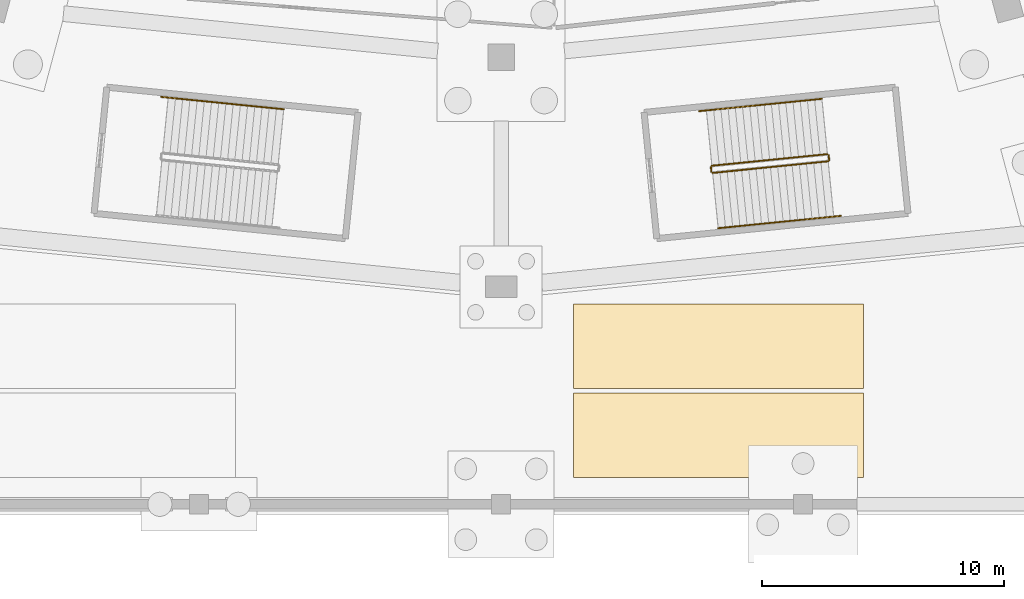
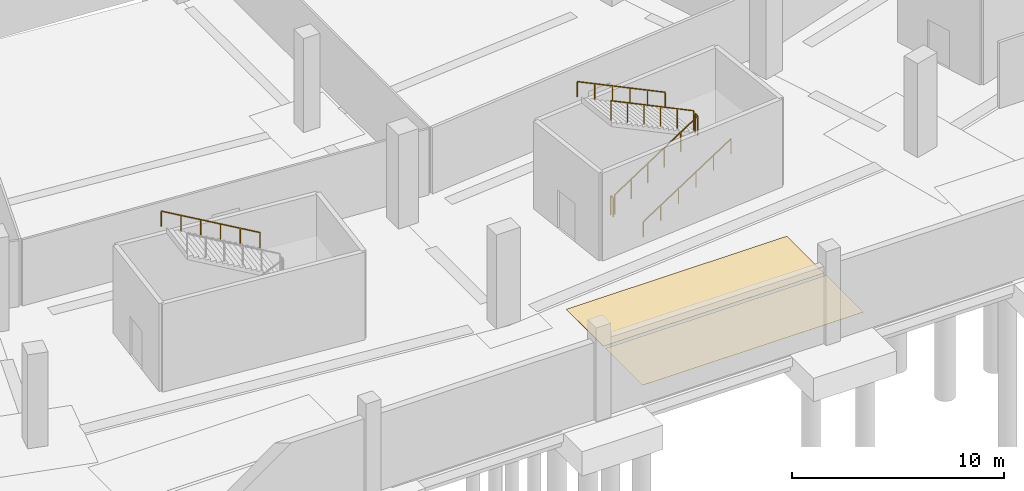
# One storey, part 57 of 74: 7 railings, 2 coverings.
"""IFC4 building model written with IfcOpenShell, lengths in metres."""

import ifcopenshell
import ifcopenshell.guid

model = None  # the IFC model being written
_history = None  # IfcOwnerHistory: only IFC2X3 demands one
_inside = {}  # id of a spatial element -> (the spatial element, [elements in it])
_under = {}  # id of a project, library or spatial element -> (it, [spatial elements below it])
_declared = {}  # id of a project -> (the project, [libraries it declares])
_typed = {}  # id of a type object -> (the type object, [elements of that type])
_made_of = {}  # id of a material, layer set ... -> (it, [elements and type objects made of it])


def new_model(schema):
    """Start an empty IFC model of exactly this schema.

    Asked for "IFC4X3", IfcOpenShell would pick the latest addendum, in which some entities
    have other attributes; the version numbers below select the first issue.
    IFC2X3 requires an IfcOwnerHistory on every rooted entity: one is made here for all.
    """
    global model, _history
    if schema == "IFC4X3":
        model = ifcopenshell.file(schema_version=(4, 3, 0, 0))
    else:
        model = ifcopenshell.file(schema=schema)
    _inside.clear()
    _under.clear()
    _declared.clear()
    _typed.clear()
    _made_of.clear()
    _history = None
    if model.schema == "IFC2X3":
        org = make("IfcOrganization", Name="unknown")
        user = make(
            "IfcPersonAndOrganization",
            ThePerson=make("IfcPerson", FamilyName="unknown"),
            TheOrganization=org,
        )
        app = make(
            "IfcApplication",
            ApplicationDeveloper=org,
            Version="unknown",
            ApplicationFullName="unknown",
            ApplicationIdentifier="unknown",
        )
        _history = make(
            "IfcOwnerHistory",
            OwningUser=user,
            OwningApplication=app,
            ChangeAction="ADDED",
            CreationDate=0,
        )
    return model


def make(cls, **values):
    """One entity of the class cls with the attributes given. An attribute that is None is left unset."""
    return model.create_entity(
        cls, **{name: value for name, value in values.items() if value is not None}
    )


def rooted(cls, **values):
    """An entity with a GlobalId (a new one), such as an element, a storey or a relation."""
    return make(cls, GlobalId=ifcopenshell.guid.new(), OwnerHistory=_history, **values)


def si_unit(unit_type, name, prefix=None):
    """IfcSIUnit, for example si_unit("LENGTHUNIT", "METRE", prefix="MILLI")."""
    return make("IfcSIUnit", UnitType=unit_type, Prefix=prefix, Name=name)


def assignment(units):
    """IfcUnitAssignment: the units of a project."""
    return None if units is None else make("IfcUnitAssignment", Units=units)


def point(xyz):
    """IfcCartesianPoint."""
    return None if xyz is None else make("IfcCartesianPoint", Coordinates=xyz)


def direction(xyz):
    """IfcDirection."""
    return None if xyz is None else make("IfcDirection", DirectionRatios=xyz)


def frame(location, z_axis=None, x_axis=None):
    """IfcAxis2Placement3D, a coordinate frame: its origin and axes. An axis left out is left unset."""
    return make(
        "IfcAxis2Placement3D",
        Location=point(location),
        Axis=direction(z_axis),
        RefDirection=direction(x_axis),
    )


def frame_2d(location, x_axis=None):
    """IfcAxis2Placement2D, a coordinate frame in the plane: its origin and x axis."""
    return make(
        "IfcAxis2Placement2D", Location=point(location), RefDirection=direction(x_axis)
    )


def origin():
    """The frame at (0, 0, 0) with its axes left unset."""
    return frame((0.0, 0.0, 0.0))


def origin_2d():
    """The frame at (0, 0) in the plane with its x axis left unset."""
    return frame_2d((0.0, 0.0))


def place(relative_to, where):
    """IfcLocalPlacement: puts the frame where relative to a parent placement (None: the world)."""
    return make(
        "IfcLocalPlacement", PlacementRelTo=relative_to, RelativePlacement=where
    )


def context(
    kind, dimensions, precision=None, world=None, true_north=None, identifier=None
):
    """IfcGeometricRepresentationContext, for example the 3D "Model" context."""
    return make(
        "IfcGeometricRepresentationContext",
        ContextIdentifier=identifier,
        ContextType=kind,
        CoordinateSpaceDimension=dimensions,
        Precision=precision,
        WorldCoordinateSystem=world,
        TrueNorth=true_north,
    )


def subcontext(parent, identifier, kind, view, scale=None):
    """IfcGeometricRepresentationSubContext, for example "Body" below "Model"."""
    return make(
        "IfcGeometricRepresentationSubContext",
        ContextIdentifier=identifier,
        ContextType=kind,
        ParentContext=parent,
        TargetScale=scale,
        TargetView=view,
    )


def project(units=None, contexts=None):
    """IfcProject with its units and contexts."""
    return rooted(
        "IfcProject",
        Name="project",
        RepresentationContexts=contexts,
        UnitsInContext=assignment(units),
    )


def spatial(cls, under=None, at=None, **own):
    """A site, building, storey or space (cls), placed at a placement, below another one or the project."""
    s = rooted(cls, ObjectPlacement=at, **own)
    if under is not None:
        _under.setdefault(under.id(), (under, []))[1].append(s)
    return s


def polyline(points):
    """IfcPolyline through the points."""
    return make("IfcPolyline", Points=[point(p) for p in points])


def profile(cls, at=None, kind="AREA", **sizes):
    """A parametric profile (cls). Its sizes go by their IFC names, for example OverallWidth=200.0."""
    return make(cls, ProfileType=kind, Position=at, **sizes)


def rectangle(**sizes):
    """IfcRectangleProfileDef."""
    return profile("IfcRectangleProfileDef", **sizes)


def outline(outer, holes=None, kind="AREA"):
    """IfcArbitraryClosedProfileDef: a profile drawn as a closed curve; with holes, ...WithVoids."""
    if holes is None:
        return make("IfcArbitraryClosedProfileDef", ProfileType=kind, OuterCurve=outer)
    return make(
        "IfcArbitraryProfileDefWithVoids",
        ProfileType=kind,
        OuterCurve=outer,
        InnerCurves=holes,
    )


def extrude(swept, where, along, depth):
    """IfcExtrudedAreaSolid: the profile swept, set in the frame where, extruded along a direction by depth."""
    return make(
        "IfcExtrudedAreaSolid",
        SweptArea=swept,
        Position=where,
        ExtrudedDirection=direction(along),
        Depth=depth,
    )


def shape(context_of_items, identifier, shape_type, items):
    """IfcShapeRepresentation: the items that make up one representation, for example the "Body"."""
    return make(
        "IfcShapeRepresentation",
        ContextOfItems=context_of_items,
        RepresentationIdentifier=identifier,
        RepresentationType=shape_type,
        Items=items,
    )


def material(Name=None, Category=None):
    """IfcMaterial."""
    return make("IfcMaterial", Name=Name, Category=Category)


def layer(
    of_material, thickness, ventilated=None, Name=None, Category=None, Priority=None
):
    """IfcMaterialLayer: one layer of a wall or slab, of a material (None: an air gap)."""
    return make(
        "IfcMaterialLayer",
        Material=of_material,
        LayerThickness=thickness,
        IsVentilated=ventilated,
        Name=Name,
        Category=Category,
        Priority=Priority,
    )


def layer_set(layers, Name=None):
    """IfcMaterialLayerSet."""
    return make("IfcMaterialLayerSet", MaterialLayers=layers, LayerSetName=Name)


def made_of(thing, what):
    """Note that an element or type object is made of a material, layer set ...; save() writes the relation."""
    if what is not None:
        _made_of.setdefault(what.id(), (what, []))[1].append(thing)
    return thing


def type_object(cls, material=None, **own):
    """A type object (cls), such as IfcWallType, which elements share."""
    return made_of(rooted(cls, **own), material)


def element(
    cls,
    number,
    at=None,
    inside=None,
    cuts=None,
    type_object=None,
    material=None,
    context=None,
    identifier="Body",
    shape_type=None,
    held_by="IfcProductDefinitionShape",
    body=None,
    shapes=None,
    **own,
):
    """One element of the class cls, such as IfcWall. Its Tag is "e" and its number.

    at: its placement. inside: the storey or other place that contains it. cuts: it is an
    opening in that element (IfcRelVoidsElement). A single representation is given by context,
    identifier, shape_type and body (its items); several are given by shapes. held_by: the class
    of the entity that holds the representations. save() writes the other relations.
    """
    e = rooted(cls, Tag="e%d" % number, ObjectPlacement=at, **own)
    if body is not None:
        shapes = [shape(context, identifier, shape_type, body)]
    if shapes is not None:
        e.Representation = make(held_by, Representations=shapes)
    if inside is not None:
        _inside.setdefault(inside.id(), (inside, []))[1].append(e)
    if cuts is not None:
        rooted(
            "IfcRelVoidsElement", RelatingBuildingElement=cuts, RelatedOpeningElement=e
        )
    if type_object is not None:
        _typed.setdefault(type_object.id(), (type_object, []))[1].append(e)
    return made_of(e, material)


def aggregate(whole, parts):
    """IfcRelAggregates: a whole, such as a stair, and the parts it consists of."""
    return rooted("IfcRelAggregates", RelatingObject=whole, RelatedObjects=parts)


def save(model, path):
    """Write the relations noted so far, then the file.

    IfcRelAggregates (storeys below a building ...), IfcRelContainedInSpatialStructure (elements
    in a storey), IfcRelDefinesByType, IfcRelAssociatesMaterial and IfcRelDeclares: one each for
    every whole, place, type object, material and project.
    """
    for whole, parts in _under.values():
        aggregate(whole, parts)
    for where, things in _inside.values():
        rooted(
            "IfcRelContainedInSpatialStructure",
            RelatedElements=things,
            RelatingStructure=where,
        )
    for kind, things in _typed.values():
        rooted("IfcRelDefinesByType", RelatedObjects=things, RelatingType=kind)
    for what, things in _made_of.values():
        rooted("IfcRelAssociatesMaterial", RelatedObjects=things, RelatingMaterial=what)
    for by, libraries in _declared.values():
        rooted("IfcRelDeclares", RelatingContext=by, RelatedDefinitions=libraries)
    model.write(path)


model = new_model("IFC4")

# Units and contexts
model_context = context("Model", 3, precision=1e-05, world=origin(), true_north=direction((0.0, 1.0)))
body_context = subcontext(model_context, "Body", "Model", "MODEL_VIEW")
ifc_project = project(units=[si_unit("LENGTHUNIT", "METRE"), si_unit("AREAUNIT", "SQUARE_METRE"), si_unit("VOLUMEUNIT", "CUBIC_METRE"), si_unit("PLANEANGLEUNIT", "RADIAN"), si_unit("MASSUNIT", "GRAM", prefix="KILO")], contexts=[model_context])

# Site, building, storey
site_placement = place(None, origin())
site = spatial("IfcSite", under=ifc_project, at=site_placement, CompositionType="ELEMENT")
building_placement = place(site_placement, origin())
building = spatial("IfcBuilding", under=site, at=building_placement, Name="Zlatoyarsky Gate Stadium", CompositionType="ELEMENT")
storey_placement = place(building_placement, frame((0.0, 0.0, -5.39990234375)))
storey = spatial("IfcBuildingStorey", under=building, at=storey_placement, Name="B1", CompositionType="ELEMENT", Elevation=-5.39990234375)

# Coverings
ifc_material_1 = material(Name="Reflective epoxy resin parking bay marking")
ifc_layer = layer(ifc_material_1, 0.010009765625)
ifc_layer_set = layer_set([ifc_layer], Name="Reflective epoxy resin parking bay marking")
covering_type = type_object("IfcCoveringType", Name="EPOXY PAINTED PARKING BAY MARKING 10", PredefinedType="USERDEFINED", material=ifc_layer_set)
covering_1_placement = place(storey_placement, origin())
element("IfcCovering", 1, at=covering_1_placement, inside=storey, type_object=covering_type, Name="Parking Bay Marking OB-BAY-03", ObjectType="ROAD MARKING", PredefinedType="USERDEFINED", context=body_context, shape_type="SweptSolid", body=[
    extrude(outline(polyline([(114.0, 1.10009765625), (126.0, 1.10009765625), (126.0, 4.60009765625), (114.0, 4.60009765625), (114.0, 1.10009765625)])), origin(), (0.0, 0.0, 1.0), 0.010009765625),
])
covering_2_placement = place(storey_placement, origin())
element("IfcCovering", 2, at=covering_2_placement, inside=storey, type_object=covering_type, Name="Parking Bay Marking OB-BAY-04", ObjectType="ROAD MARKING", PredefinedType="USERDEFINED", context=body_context, shape_type="SweptSolid", body=[
    extrude(outline(polyline([(114.0, 4.800048828125), (126.0, 4.800048828125), (126.0, 8.300048828125), (114.0, 8.300048828125), (114.0, 4.800048828125)])), origin(), (0.0, 0.0, 1.0), 0.010009765625),
])

# Railings
ifc_material_2 = material(Name="Powder-coated steel stair guardrail", Category="steel")
railing_type_1 = type_object("IfcRailingType", Name="PAINTED STEEL STAIR WELL GUARDRAIL 1150", PredefinedType="GUARDRAIL", material=ifc_material_2)
railing_1_placement = place(storey_placement, frame((119.760986328125, 13.717529296875, 0.15869140625)))
element("IfcRailing", 3, at=railing_1_placement, inside=storey, type_object=railing_type_1, Name="ST-10 B1 stair guard 1", PredefinedType="GUARDRAIL", context=body_context, shape_type="SweptSolid", body=[
    extrude(rectangle(XDim=0.048095703125, YDim=0.048095703125, at=origin_2d()), frame((0.0, 0.0, 1.1259765625), z_axis=(0.879359497258, 0.088371966038, 0.467885958542), x_axis=(-0.099992171352, 0.994988223884, 0.0)), (0.0, 0.0, 1.0), 5.431396484375),
    extrude(rectangle(XDim=0.0419921875, YDim=0.0419921875, at=origin_2d()), origin(), (0.0, 0.0, 1.0), 1.101806640625),
    extrude(rectangle(XDim=0.0419921875, YDim=0.0419921875, at=origin_2d()), frame((0.955322265625, 0.095947265625, 0.50830078125)), (0.0, 0.0, 1.0), 1.101806640625),
    extrude(rectangle(XDim=0.0419921875, YDim=0.0419921875, at=origin_2d()), frame((1.910400390625, 0.19189453125, 1.0166015625)), (0.0, 0.0, 1.0), 1.101806640625),
    extrude(rectangle(XDim=0.0419921875, YDim=0.0419921875, at=origin_2d()), frame((2.86572265625, 0.2880859375, 1.524658203125)), (0.0, 0.0, 1.0), 1.101806640625),
    extrude(rectangle(XDim=0.0419921875, YDim=0.0419921875, at=origin_2d()), frame((3.82080078125, 0.384033203125, 2.032958984375)), (0.0, 0.0, 1.0), 1.101806640625),
    extrude(rectangle(XDim=0.0419921875, YDim=0.0419921875, at=origin_2d()), frame((4.776123046875, 0.47998046875, 2.541259765625)), (0.0, 0.0, 1.0), 1.101806640625),
])
railing_2_placement = place(storey_placement, frame((124.581787109375, 14.252197265625, 2.699951171875)))
element("IfcRailing", 4, at=railing_2_placement, inside=storey, type_object=railing_type_1, Name="ST-10 B1 stair guard 2", PredefinedType="GUARDRAIL", context=body_context, shape_type="SweptSolid", body=[
    extrude(rectangle(XDim=0.048095703125, YDim=0.048095703125, at=origin_2d()), frame((0.0, 0.0, 1.1259765625), z_axis=(-0.100108072026, 0.994976569531, 0.0), x_axis=(-0.994976569531, -0.100108072026, 0.0)), (0.0, 0.0, 1.0), 0.199951171875),
    extrude(rectangle(XDim=0.0419921875, YDim=0.0419921875, at=origin_2d()), origin(), (0.0, 0.0, 1.0), 1.101806640625),
    extrude(rectangle(XDim=0.0419921875, YDim=0.0419921875, at=origin_2d()), frame((-0.02001953125, 0.198974609375, 0.0)), (0.0, 0.0, 1.0), 1.101806640625),
])
railing_3_placement = place(storey_placement, frame((124.507080078125, 14.495849609375, 2.858642578125)))
element("IfcRailing", 5, at=railing_3_placement, inside=storey, type_object=railing_type_1, Name="ST-10 B1 stair guard 3", PredefinedType="GUARDRAIL", context=body_context, shape_type="SweptSolid", body=[
    extrude(rectangle(XDim=0.048095703125, YDim=0.048095703125, at=origin_2d()), frame((0.0, 0.0, 1.1259765625), z_axis=(-0.87934930525, -0.088375459264, 0.467904453448), x_axis=(0.099997231792, -0.994987715318, 0.0)), (0.0, 0.0, 1.0), 5.43115234375),
    extrude(rectangle(XDim=0.0419921875, YDim=0.0419921875, at=origin_2d()), origin(), (0.0, 0.0, 1.0), 1.101806640625),
    extrude(rectangle(XDim=0.0419921875, YDim=0.0419921875, at=origin_2d()), frame((-0.955078125, -0.095947265625, 0.50830078125)), (0.0, 0.0, 1.0), 1.101806640625),
    extrude(rectangle(XDim=0.0419921875, YDim=0.0419921875, at=origin_2d()), frame((-1.910400390625, -0.19189453125, 1.0166015625)), (0.0, 0.0, 1.0), 1.101806640625),
    extrude(rectangle(XDim=0.0419921875, YDim=0.0419921875, at=origin_2d()), frame((-2.865478515625, -0.2880859375, 1.524658203125)), (0.0, 0.0, 1.0), 1.101806640625),
    extrude(rectangle(XDim=0.0419921875, YDim=0.0419921875, at=origin_2d()), frame((-3.82080078125, -0.384033203125, 2.032958984375)), (0.0, 0.0, 1.0), 1.101806640625),
    extrude(rectangle(XDim=0.0419921875, YDim=0.0419921875, at=origin_2d()), frame((-4.77587890625, -0.47998046875, 2.541259765625)), (0.0, 0.0, 1.0), 1.101806640625),
])
railing_4_placement = place(storey_placement, frame((119.706298828125, 13.76220703125, 0.0)))
element("IfcRailing", 6, at=railing_4_placement, inside=storey, type_object=railing_type_1, Name="ST-10 B1 stair guard 4", PredefinedType="GUARDRAIL", context=body_context, shape_type="SweptSolid", body=[
    extrude(rectangle(XDim=0.048095703125, YDim=0.048095703125, at=origin_2d()), frame((0.0, 0.0, 1.1259765625), z_axis=(-0.100108072026, 0.994976569531, 0.0), x_axis=(-0.994976569531, -0.100108072026, 0.0)), (0.0, 0.0, 1.0), 0.199951171875),
    extrude(rectangle(XDim=0.0419921875, YDim=0.0419921875, at=origin_2d()), origin(), (0.0, 0.0, 1.0), 1.101806640625),
    extrude(rectangle(XDim=0.0419921875, YDim=0.0419921875, at=origin_2d()), frame((-0.02001953125, 0.198974609375, 0.0)), (0.0, 0.0, 1.0), 1.101806640625),
])
ifc_material_3 = material(Name="Brushed stainless steel 316 handrail", Category="steel")
railing_type_2 = type_object("IfcRailingType", Name="STAINLESS STEEL TUBULAR HANDRAIL 900", PredefinedType="HANDRAIL", material=ifc_material_3)
railing_5_placement = place(storey_placement, frame((119.9912109375, 11.428955078125, 0.162841796875)))
element("IfcRailing", 7, at=railing_5_placement, inside=storey, type_object=railing_type_2, Name="ST-10 B1 stair handrail 1", PredefinedType="HANDRAIL", context=body_context, shape_type="SweptSolid", body=[
    extrude(rectangle(XDim=0.048095703125, YDim=0.048095703125, at=origin_2d()), frame((0.0, 0.0, 0.8759765625), z_axis=(0.879352690417, 0.088383745683, 0.467896526334), x_axis=(-0.100006133008, 0.994986820697, 0.0)), (0.0, 0.0, 1.0), 5.7705078125),
    extrude(rectangle(XDim=0.0419921875, YDim=0.0419921875, at=origin_2d()), origin(), (0.0, 0.0, 1.0), 0.851806640625),
    extrude(rectangle(XDim=0.0419921875, YDim=0.0419921875, at=origin_2d()), frame((1.014892578125, 0.10205078125, 0.5400390625)), (0.0, 0.0, 1.0), 0.851806640625),
    extrude(rectangle(XDim=0.0419921875, YDim=0.0419921875, at=origin_2d()), frame((2.02978515625, 0.2041015625, 1.080078125)), (0.0, 0.0, 1.0), 0.851806640625),
    extrude(rectangle(XDim=0.0419921875, YDim=0.0419921875, at=origin_2d()), frame((3.04443359375, 0.305908203125, 1.619873046875)), (0.0, 0.0, 1.0), 0.851806640625),
    extrude(rectangle(XDim=0.0419921875, YDim=0.0419921875, at=origin_2d()), frame((4.059326171875, 0.407958984375, 2.159912109375)), (0.0, 0.0, 1.0), 0.851806640625),
    extrude(rectangle(XDim=0.0419921875, YDim=0.0419921875, at=origin_2d()), frame((5.07421875, 0.510009765625, 2.699951171875)), (0.0, 0.0, 1.0), 0.851806640625),
])
railing_6_placement = place(storey_placement, frame((124.277099609375, 16.784423828125, 2.86279296875)))
element("IfcRailing", 8, at=railing_6_placement, inside=storey, type_object=railing_type_2, Name="ST-10 B1 stair handrail 2", PredefinedType="HANDRAIL", context=body_context, shape_type="SweptSolid", body=[
    extrude(rectangle(XDim=0.048095703125, YDim=0.048095703125, at=origin_2d()), frame((0.0, 0.0, 0.8759765625), z_axis=(-0.879362283002, -0.088380457503, 0.467879118967), x_axis=(0.100001369668, -0.994987299449, 0.0)), (0.0, 0.0, 1.0), 5.7705078125),
    extrude(rectangle(XDim=0.0419921875, YDim=0.0419921875, at=origin_2d()), origin(), (0.0, 0.0, 1.0), 0.851806640625),
    extrude(rectangle(XDim=0.0419921875, YDim=0.0419921875, at=origin_2d()), frame((-1.014892578125, -0.10205078125, 0.5400390625)), (0.0, 0.0, 1.0), 0.851806640625),
    extrude(rectangle(XDim=0.0419921875, YDim=0.0419921875, at=origin_2d()), frame((-2.02978515625, -0.2041015625, 1.080078125)), (0.0, 0.0, 1.0), 0.851806640625),
    extrude(rectangle(XDim=0.0419921875, YDim=0.0419921875, at=origin_2d()), frame((-3.044677734375, -0.305908203125, 1.619873046875)), (0.0, 0.0, 1.0), 0.851806640625),
    extrude(rectangle(XDim=0.0419921875, YDim=0.0419921875, at=origin_2d()), frame((-4.0595703125, -0.407958984375, 2.159912109375)), (0.0, 0.0, 1.0), 0.851806640625),
    extrude(rectangle(XDim=0.0419921875, YDim=0.0419921875, at=origin_2d()), frame((-5.074462890625, -0.510009765625, 2.699951171875)), (0.0, 0.0, 1.0), 0.851806640625),
])
railing_7_placement = place(storey_placement, frame((102.00146484375, 16.354248046875, 2.86279296875)))
element("IfcRailing", 9, at=railing_7_placement, inside=storey, type_object=railing_type_2, Name="ST-19 B1 stair handrail 2", PredefinedType="HANDRAIL", context=body_context, shape_type="SweptSolid", body=[
    extrude(rectangle(XDim=0.048095703125, YDim=0.048095703125, at=origin_2d()), frame((0.0, 0.0, 0.8759765625), z_axis=(-0.879362283002, 0.088380457503, 0.467879118967), x_axis=(-0.100001369668, -0.994987299449, 0.0)), (0.0, 0.0, 1.0), 5.7705078125),
    extrude(rectangle(XDim=0.0419921875, YDim=0.0419921875, at=origin_2d()), origin(), (0.0, 0.0, 1.0), 0.851806640625),
    extrude(rectangle(XDim=0.0419921875, YDim=0.0419921875, at=origin_2d()), frame((-1.014892578125, 0.10205078125, 0.5400390625)), (0.0, 0.0, 1.0), 0.851806640625),
    extrude(rectangle(XDim=0.0419921875, YDim=0.0419921875, at=origin_2d()), frame((-2.02978515625, 0.2041015625, 1.080078125)), (0.0, 0.0, 1.0), 0.851806640625),
    extrude(rectangle(XDim=0.0419921875, YDim=0.0419921875, at=origin_2d()), frame((-3.044677734375, 0.305908203125, 1.619873046875)), (0.0, 0.0, 1.0), 0.851806640625),
    extrude(rectangle(XDim=0.0419921875, YDim=0.0419921875, at=origin_2d()), frame((-4.0595703125, 0.407958984375, 2.159912109375)), (0.0, 0.0, 1.0), 0.851806640625),
    extrude(rectangle(XDim=0.0419921875, YDim=0.0419921875, at=origin_2d()), frame((-5.074462890625, 0.510009765625, 2.699951171875)), (0.0, 0.0, 1.0), 0.851806640625),
])

save(model, "model.ifc")
